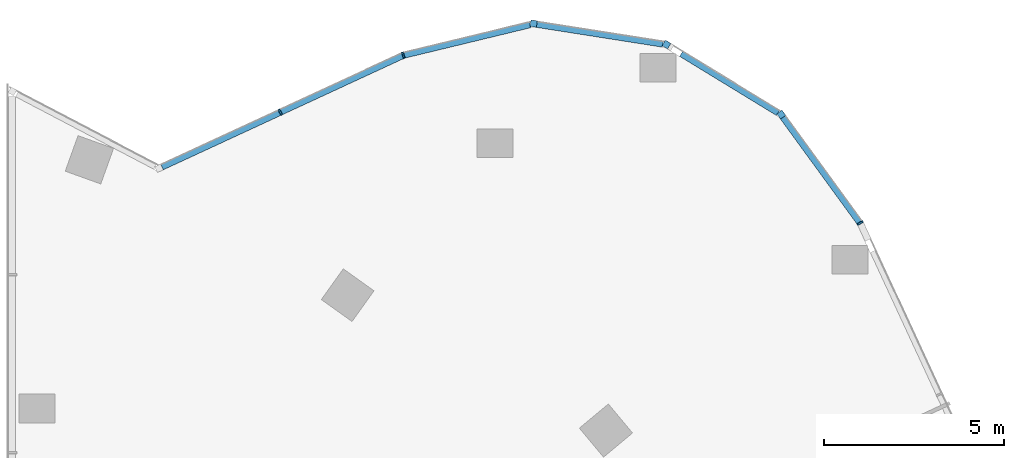
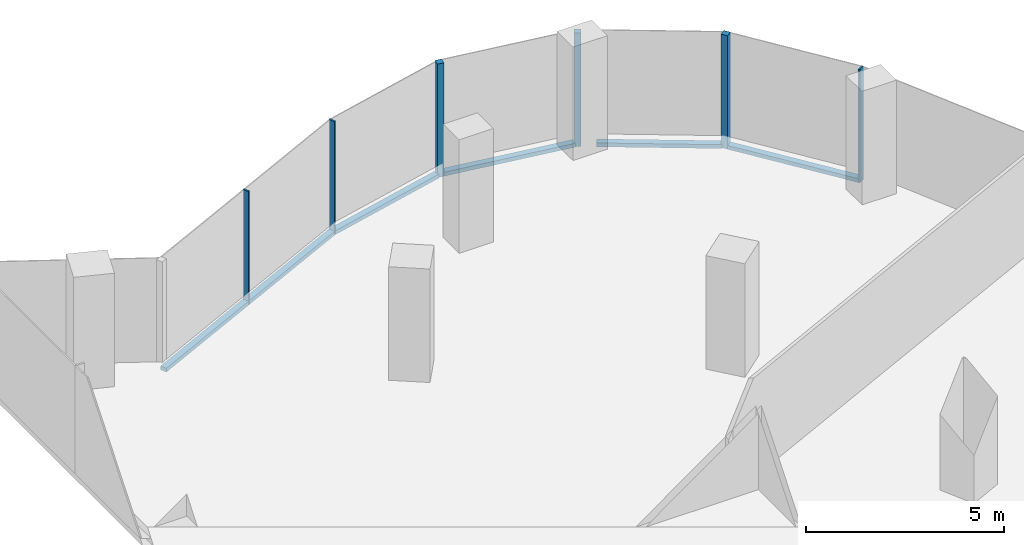
# One storey, part 11 of 23: 11 members, 6 elements without a shape of their own.
"""IFC4 building model written with IfcOpenShell, lengths in metres."""

from ifc_helpers import new_model, si_unit, direction, frame, origin, origin_2d, place, context, subcontext, project, spatial, rectangle, extrude, material, material_profile, profile_set, type_object, element, aggregate, save


model = new_model("IFC4")

# Units and contexts
model_context = context("Model", 3, precision=1e-05, world=origin(), true_north=direction((0.0, 1.0)))
body_context = subcontext(model_context, "Body", "Model", "MODEL_VIEW")
ifc_project = project(units=[si_unit("LENGTHUNIT", "METRE"), si_unit("AREAUNIT", "SQUARE_METRE"), si_unit("VOLUMEUNIT", "CUBIC_METRE"), si_unit("PLANEANGLEUNIT", "RADIAN"), si_unit("MASSUNIT", "GRAM", prefix="KILO")], contexts=[model_context])

# Site, building, storey
site_placement = place(None, origin())
site = spatial("IfcSite", under=ifc_project, at=site_placement, CompositionType="ELEMENT")
building_placement = place(site_placement, origin())
building = spatial("IfcBuilding", under=site, at=building_placement, Name="Orlundy Tower", CompositionType="ELEMENT")
storey_placement = place(building_placement, frame((0.0, 0.0, 257.0)))
storey = spatial("IfcBuildingStorey", under=building, at=storey_placement, Name="L68", CompositionType="ELEMENT", Elevation=257.0)

# Curtain wall, member
ifc_material_1 = material(Name="Aluminium bronze anodised", Category="aluminium")
curtain_wall_type = type_object("IfcCurtainWallType", Name="CW1 wall", PredefinedType="NOTDEFINED", material=ifc_material_1)
curtain_wall_1_placement = place(storey_placement, origin())
curtain_wall_1 = element("IfcCurtainWall", 1, at=curtain_wall_1_placement, inside=storey, type_object=curtain_wall_type, Name="CW1 run 12", PredefinedType="NOTDEFINED")
ifc_material_2 = material(Name="Aluminium bronze anodised", Category="aluminium")
ifc_material_profile_1 = material_profile(ifc_material_2, rectangle(XDim=0.179931640625, YDim=0.179931640625, at=origin_2d()), Name="CW1 corner post 180x180")
ifc_profile_set_1 = profile_set([ifc_material_profile_1], Name="Aluminium bronze anodised")
member_type_1 = type_object("IfcMemberType", Name="CW1 corner post 180x180", PredefinedType="MULLION", material=ifc_profile_set_1)
member_1_placement = place(storey_placement, frame((22.42529296875, 31.712646484375, -0.39990234375), z_axis=(0.0, 0.0, 1.0), x_axis=(0.15511748157, 0.987896030416, 0.0)))
member_1 = element("IfcMember", 2, at=member_1_placement, type_object=member_type_1, Name="CW1 mullion 4", PredefinedType="MULLION", context=body_context, shape_type="SweptSolid", body=[
    extrude(rectangle(XDim=0.179931640625, YDim=0.179931640625, at=origin_2d()), origin(), (0.0, 0.0, 1.0), 3.5),
])

curtain_wall_2_placement = place(storey_placement, origin())
curtain_wall_2 = element("IfcCurtainWall", 3, at=curtain_wall_2_placement, inside=storey, type_object=curtain_wall_type, Name="CW1 run 13", PredefinedType="NOTDEFINED")
member_2_placement = place(storey_placement, frame((26.12255859375, 31.132080078125, -0.39990234375), z_axis=(0.0, 0.0, 1.0), x_axis=(0.521144468768, 0.853468477843, 0.0)))
member_2 = element("IfcMember", 4, at=member_2_placement, type_object=member_type_1, Name="CW1 mullion 5", PredefinedType="MULLION", context=body_context, shape_type="SweptSolid", body=[
    extrude(rectangle(XDim=0.179931640625, YDim=0.179931640625, at=origin_2d()), origin(), (0.0, 0.0, 1.0), 3.5),
])

curtain_wall_3_placement = place(storey_placement, origin())
curtain_wall_3 = element("IfcCurtainWall", 5, at=curtain_wall_3_placement, inside=storey, type_object=curtain_wall_type, Name="CW1 run 14", PredefinedType="NOTDEFINED")
member_3_placement = place(storey_placement, frame((29.317138671875, 29.181396484375, -0.39990234375), z_axis=(0.0, 0.0, 1.0), x_axis=(0.80821081742, 0.588893262489, 0.0)))
member_3 = element("IfcMember", 6, at=member_3_placement, type_object=member_type_1, Name="CW1 mullion 6", PredefinedType="MULLION", context=body_context, shape_type="SweptSolid", body=[
    extrude(rectangle(XDim=0.179931640625, YDim=0.179931640625, at=origin_2d()), origin(), (0.0, 0.0, 1.0), 3.5),
])

curtain_wall_4_placement = place(storey_placement, origin())
curtain_wall_4 = element("IfcCurtainWall", 7, at=curtain_wall_4_placement, inside=storey, type_object=curtain_wall_type, Name="CW1 run 10", PredefinedType="NOTDEFINED")
ifc_material_3 = material(Name="Aluminium bronze anodised", Category="aluminium")
ifc_material_profile_2 = material_profile(ifc_material_3, rectangle(XDim=0.179931640625, YDim=0.050048828125, at=origin_2d()), Name="CW1 mullion 50x180")
ifc_profile_set_2 = profile_set([ifc_material_profile_2], Name="Aluminium bronze anodised")
member_type_2 = type_object("IfcMemberType", Name="CW1 mullion 50x180", PredefinedType="MULLION", material=ifc_profile_set_2)
member_4_placement = place(storey_placement, frame((15.37060546875, 29.250244140625, -0.39990234375), z_axis=(0.0, 0.0, 1.0), x_axis=(-0.419975748486, 0.907535327513, 0.0)))
member_4 = element("IfcMember", 8, at=member_4_placement, type_object=member_type_2, Name="CW1 mullion 2", PredefinedType="MULLION", context=body_context, shape_type="SweptSolid", body=[
    extrude(rectangle(XDim=0.179931640625, YDim=0.050048828125, at=origin_2d()), origin(), (0.0, 0.0, 1.0), 3.5),
])

curtain_wall_5_placement = place(storey_placement, origin())
curtain_wall_5 = element("IfcCurtainWall", 9, at=curtain_wall_5_placement, inside=storey, type_object=curtain_wall_type, Name="CW1 run 11", PredefinedType="NOTDEFINED")
member_5_placement = place(storey_placement, frame((18.796142578125, 30.83544921875, -0.39990234375), z_axis=(0.0, 0.0, 1.0), x_axis=(-0.329057666512, 0.944309828451, 0.0)))
member_5 = element("IfcMember", 10, at=member_5_placement, type_object=member_type_2, Name="CW1 mullion 3", PredefinedType="MULLION", context=body_context, shape_type="SweptSolid", body=[
    extrude(rectangle(XDim=0.179931640625, YDim=0.050048828125, at=origin_2d()), origin(), (0.0, 0.0, 1.0), 3.5),
])

curtain_wall_6_placement = place(storey_placement, origin())
curtain_wall_6 = element("IfcCurtainWall", 11, at=curtain_wall_6_placement, inside=storey, type_object=curtain_wall_type, Name="CW1 run 15", PredefinedType="NOTDEFINED")
member_6_placement = place(storey_placement, frame((31.515869140625, 26.163818359375, -0.39990234375), z_axis=(0.0, 0.0, 1.0), x_axis=(0.862024734365, 0.50686621247, 0.0)))
member_6 = element("IfcMember", 12, at=member_6_placement, type_object=member_type_2, Name="CW1 mullion 7", PredefinedType="MULLION", context=body_context, shape_type="SweptSolid", body=[
    extrude(rectangle(XDim=0.179931640625, YDim=0.050048828125, at=origin_2d()), origin(), (0.0, 0.0, 1.0), 3.5),
])
aggregate(curtain_wall_6, [member_6])

# Member
ifc_material_4 = material(Name="Aluminium bronze anodised", Category="aluminium")
ifc_material_profile_3 = material_profile(ifc_material_4, rectangle(XDim=0.179931640625, YDim=0.1201171875, at=origin_2d()), Name="CW1 transom 180x120")
ifc_profile_set_3 = profile_set([ifc_material_profile_3], Name="Aluminium bronze anodised")
member_type_3 = type_object("IfcMemberType", Name="CW1 transom 180x120", PredefinedType="USERDEFINED", material=ifc_profile_set_3)
member_7_placement = place(storey_placement, frame((12.0751953125, 27.72509765625, -0.340087890625), z_axis=(0.907528083861, 0.419991401107, 0.0), x_axis=(-0.419991401107, 0.907528083861, 0.0)))
member_7 = element("IfcMember", 13, at=member_7_placement, type_object=member_type_3, Name="CW1 transom", ObjectType="TRANSOM", PredefinedType="USERDEFINED", context=body_context, shape_type="SweptSolid", body=[
    extrude(rectangle(XDim=0.179931640625, YDim=0.1201171875, at=origin_2d()), origin(), (0.0, 0.0, 1.0), 7.380859375),
])

aggregate(curtain_wall_4, [member_4, member_7])

member_8_placement = place(storey_placement, frame((18.820556640625, 30.84130859375, -0.340087890625), z_axis=(0.972009843916, 0.23494012712, 0.0), x_axis=(-0.23494012712, 0.972009843916, 0.0)))
member_8 = element("IfcMember", 14, at=member_8_placement, type_object=member_type_3, Name="CW1 transom", ObjectType="TRANSOM", PredefinedType="USERDEFINED", context=body_context, shape_type="SweptSolid", body=[
    extrude(rectangle(XDim=0.179931640625, YDim=0.1201171875, at=origin_2d()), origin(), (0.0, 0.0, 1.0), 3.611083984375),
])

aggregate(curtain_wall_5, [member_5, member_8])

member_9_placement = place(storey_placement, frame((22.51416015625, 31.69873046875, -0.340087890625), z_axis=(0.987894570591, -0.155126778463, 0.0), x_axis=(0.155126778463, 0.987894570591, 0.0)))
member_9 = element("IfcMember", 15, at=member_9_placement, type_object=member_type_3, Name="CW1 transom", ObjectType="TRANSOM", PredefinedType="USERDEFINED", context=body_context, shape_type="SweptSolid", body=[
    extrude(rectangle(XDim=0.179931640625, YDim=0.1201171875, at=origin_2d()), origin(), (0.0, 0.0, 1.0), 3.55517578125),
])

aggregate(curtain_wall_1, [member_1, member_9])

member_10_placement = place(storey_placement, frame((26.534912109375, 30.88037109375, -0.340087890625), z_axis=(0.85346878169, -0.521143971164, 0.0), x_axis=(0.521143971164, 0.85346878169, 0.0)))
member_10 = element("IfcMember", 16, at=member_10_placement, type_object=member_type_3, Name="CW1 transom", ObjectType="TRANSOM", PredefinedType="USERDEFINED", context=body_context, shape_type="SweptSolid", body=[
    extrude(rectangle(XDim=0.179931640625, YDim=0.1201171875, at=origin_2d()), origin(), (0.0, 0.0, 1.0), 3.16259765625),
])

aggregate(curtain_wall_2, [member_2, member_10])

member_11_placement = place(storey_placement, frame((29.3701171875, 29.108642578125, -0.340087890625), z_axis=(0.588921607505, -0.808190163398, 0.0), x_axis=(0.808190163398, 0.588921607505, 0.0)))
member_11 = element("IfcMember", 17, at=member_11_placement, type_object=member_type_3, Name="CW1 transom", ObjectType="TRANSOM", PredefinedType="USERDEFINED", context=body_context, shape_type="SweptSolid", body=[
    extrude(rectangle(XDim=0.179931640625, YDim=0.1201171875, at=origin_2d()), origin(), (0.0, 0.0, 1.0), 3.61865234375),
])

aggregate(curtain_wall_3, [member_3, member_11])

save(model, "model.ifc")
